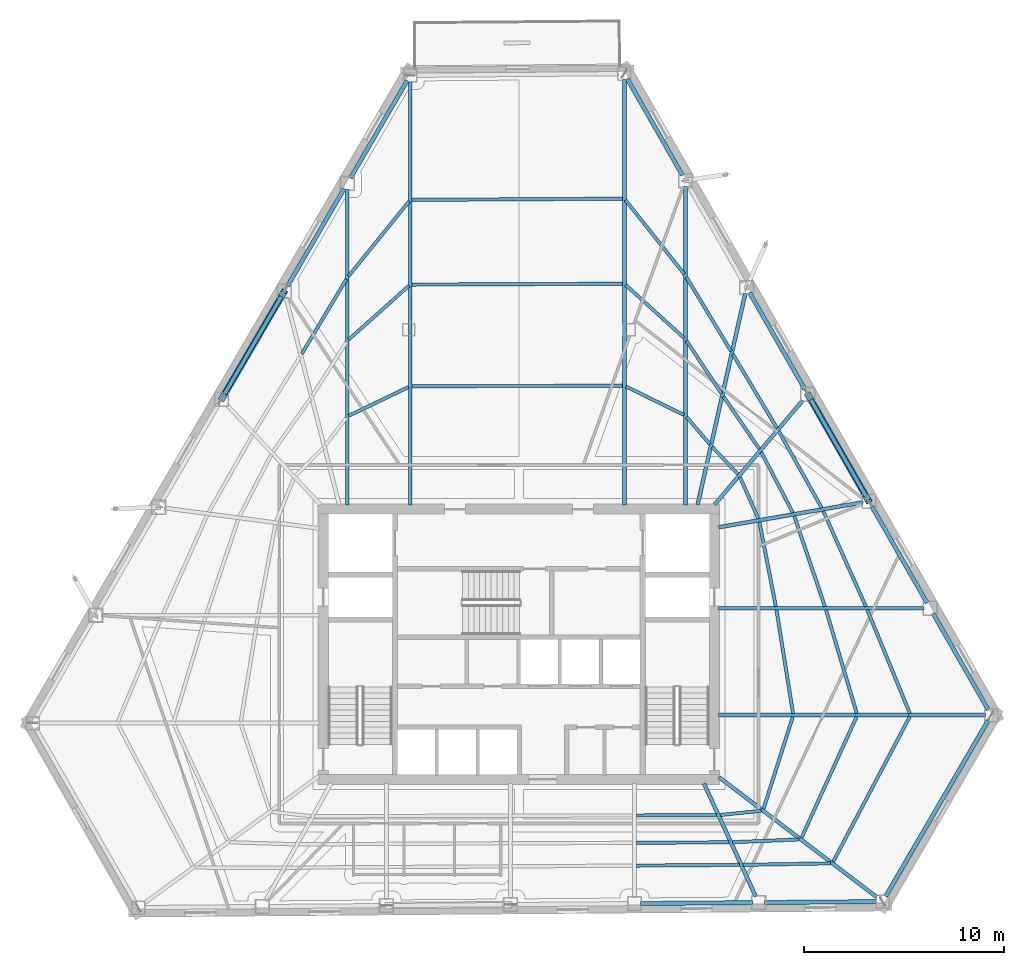
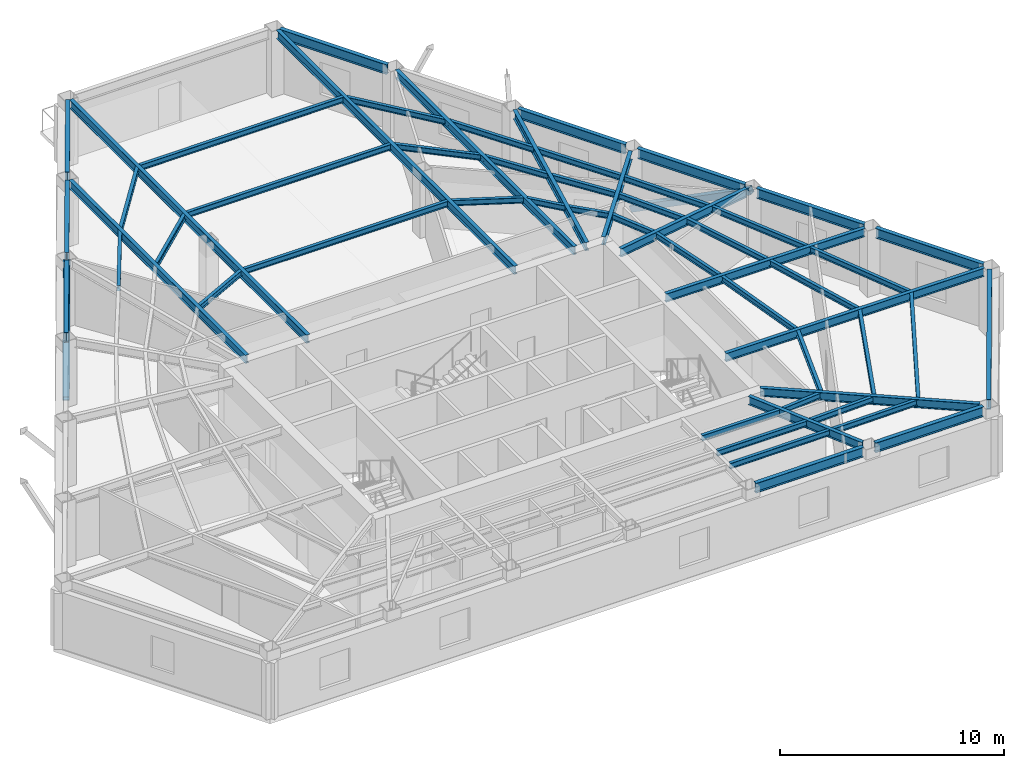
# One storey, part 2 of 12: 56 beams, 2 members.
"""IFC4 building model written with IfcOpenShell, lengths in metres."""

from ifc_helpers import new_model, si_unit, direction, frame, origin, origin_2d, place, context, subcontext, project, spatial, hollow_rectangle, i_section, extrude, material, material_profile, profile_set, type_object, element, save


model = new_model("IFC4")

# Units and contexts
model_context = context("Model", 3, precision=1e-05, world=origin(), true_north=direction((0.0, 1.0)))
body_context = subcontext(model_context, "Body", "Model", "MODEL_VIEW")
ifc_project = project(units=[si_unit("LENGTHUNIT", "METRE"), si_unit("AREAUNIT", "SQUARE_METRE"), si_unit("VOLUMEUNIT", "CUBIC_METRE"), si_unit("PLANEANGLEUNIT", "RADIAN"), si_unit("MASSUNIT", "GRAM", prefix="KILO")], contexts=[model_context])

# Site, building, storey
site_placement = place(None, origin())
site = spatial("IfcSite", under=ifc_project, at=site_placement, CompositionType="ELEMENT")
building_placement = place(site_placement, origin())
building = spatial("IfcBuilding", under=site, at=building_placement, Name="Kavelnor Concourse Tower", CompositionType="ELEMENT")
storey_placement = place(building_placement, frame((0.0, 0.0, 147.10009765625)))
storey = spatial("IfcBuildingStorey", under=building, at=storey_placement, Name="L37", CompositionType="ELEMENT", Elevation=147.10009765625)

# Beams
ifc_material = material(Name="Steel Grade 350", Category="steel")
ifc_material_profile_1 = material_profile(ifc_material, i_section(OverallWidth=0.166015625, OverallDepth=0.306884765625, WebThickness=0.006591796875, FlangeThickness=0.01171875, at=origin_2d()), Name="310UB46")
ifc_profile_set_1 = profile_set([ifc_material_profile_1], Name="Steel Grade 350")
beam_type_1 = type_object("IfcBeamType", Name="BM-JOIST-310", PredefinedType="JOIST", material=ifc_profile_set_1)
beam_1_placement = place(storey_placement, frame((43.864501953125, 7.545166015625, 3.4462890625), z_axis=(0.999995564172, 0.002978529126, 0.0), x_axis=(-0.002978529126, 0.999995564172, 0.0)))
element("IfcBeam", 1, at=beam_1_placement, inside=storey, type_object=beam_type_1, Name="L37 Secondary Composite Joist 06-1", PredefinedType="JOIST", context=body_context, shape_type="SweptSolid", body=[
    extrude(i_section(OverallWidth=0.166015625, OverallDepth=0.306884765625, WebThickness=0.006591796875, FlangeThickness=0.01171875, at=origin_2d()), origin(), (0.0, 0.0, 1.0), 4.016357421875),
])
beam_2_placement = place(storey_placement, frame((43.864501953125, 6.17822265625, 3.4462890625), z_axis=(0.999985297134, 0.005422685354, 0.0), x_axis=(-0.005422685354, 0.999985297134, 0.0)))
element("IfcBeam", 2, at=beam_2_placement, inside=storey, type_object=beam_type_1, Name="L37 Secondary Composite Joist 06-2", PredefinedType="JOIST", context=body_context, shape_type="SweptSolid", body=[
    extrude(i_section(OverallWidth=0.166015625, OverallDepth=0.306884765625, WebThickness=0.006591796875, FlangeThickness=0.01171875, at=origin_2d()), origin(), (0.0, 0.0, 1.0), 4.63720703125),
])
beam_3_placement = place(storey_placement, frame((43.864501953125, 5.0390625, 3.4462890625), z_axis=(0.999975431563, 0.007009726892, 0.0), x_axis=(-0.007009726892, 0.999975431563, 0.0)))
element("IfcBeam", 3, at=beam_3_placement, inside=storey, type_object=beam_type_1, Name="L37 Secondary Composite Joist 06-3", PredefinedType="JOIST", context=body_context, shape_type="SweptSolid", body=[
    extrude(i_section(OverallWidth=0.166015625, OverallDepth=0.306884765625, WebThickness=0.006591796875, FlangeThickness=0.01171875, at=origin_2d()), origin(), (0.0, 0.0, 1.0), 5.15478515625),
])
beam_4_placement = place(storey_placement, frame((48.058349609375, 7.56640625, 3.4462890625), z_axis=(0.994796877977, 0.101878219301, 0.0), x_axis=(-0.101878219301, 0.994796877977, 0.0)))
element("IfcBeam", 4, at=beam_4_placement, inside=storey, type_object=beam_type_1, Name="L37 Secondary Composite Joist 07-1", PredefinedType="JOIST", context=body_context, shape_type="SweptSolid", body=[
    extrude(i_section(OverallWidth=0.166015625, OverallDepth=0.306884765625, WebThickness=0.006591796875, FlangeThickness=0.01171875, at=origin_2d()), origin(), (0.0, 0.0, 1.0), 2.05615234375),
])
beam_5_placement = place(storey_placement, frame((48.6796875, 6.20751953125, 3.4462890625), z_axis=(0.999134221243, 0.041602979954, 0.0), x_axis=(-0.041602979954, 0.999134221243, 0.0)))
element("IfcBeam", 5, at=beam_5_placement, inside=storey, type_object=beam_type_1, Name="L37 Secondary Composite Joist 07-2", PredefinedType="JOIST", context=body_context, shape_type="SweptSolid", body=[
    extrude(i_section(OverallWidth=0.166015625, OverallDepth=0.306884765625, WebThickness=0.006591796875, FlangeThickness=0.01171875, at=origin_2d()), origin(), (0.0, 0.0, 1.0), 3.315673828125),
])
beam_6_placement = place(storey_placement, frame((49.197021484375, 5.077392578125, 3.4462890625), z_axis=(0.999857690583, 0.016870049866, 0.0), x_axis=(-0.016870049866, 0.999857690583, 0.0)))
element("IfcBeam", 6, at=beam_6_placement, inside=storey, type_object=beam_type_1, Name="L37 Secondary Composite Joist 07-3", PredefinedType="JOIST", context=body_context, shape_type="SweptSolid", body=[
    extrude(i_section(OverallWidth=0.166015625, OverallDepth=0.306884765625, WebThickness=0.006591796875, FlangeThickness=0.01171875, at=origin_2d()), origin(), (0.0, 0.0, 1.0), 4.37060546875),
])
beam_7_placement = place(storey_placement, frame((50.21923828125, 7.869873046875, 3.4462890625), z_axis=(0.302827835659, 0.953045278017, 0.0), x_axis=(-0.953045278017, 0.302827835659, 0.0)))
element("IfcBeam", 7, at=beam_7_placement, inside=storey, type_object=beam_type_1, Name="L37 Secondary Composite Joist 08-1", PredefinedType="JOIST", context=body_context, shape_type="SweptSolid", body=[
    extrude(i_section(OverallWidth=0.166015625, OverallDepth=0.306884765625, WebThickness=0.006591796875, FlangeThickness=0.01171875, at=origin_2d()), origin(), (0.0, 0.0, 1.0), 4.82666015625),
])
beam_8_placement = place(storey_placement, frame((52.118408203125, 6.43017578125, 3.4462890625), z_axis=(0.413916534291, 0.910314837098, 0.0), x_axis=(-0.910314837098, 0.413916534291, 0.0)))
element("IfcBeam", 8, at=beam_8_placement, inside=storey, type_object=beam_type_1, Name="L37 Secondary Composite Joist 08-2", PredefinedType="JOIST", context=body_context, shape_type="SweptSolid", body=[
    extrude(i_section(OverallWidth=0.166015625, OverallDepth=0.306884765625, WebThickness=0.006591796875, FlangeThickness=0.01171875, at=origin_2d()), origin(), (0.0, 0.0, 1.0), 6.63916015625),
])
beam_9_placement = place(storey_placement, frame((53.697265625, 5.2314453125, 3.4462890625), z_axis=(0.467101693383, 0.88420360101, 0.0), x_axis=(-0.88420360101, 0.467101693383, 0.0)))
element("IfcBeam", 9, at=beam_9_placement, inside=storey, type_object=beam_type_1, Name="L37 Secondary Composite Joist 08-3", PredefinedType="JOIST", context=body_context, shape_type="SweptSolid", body=[
    extrude(i_section(OverallWidth=0.166015625, OverallDepth=0.306884765625, WebThickness=0.006591796875, FlangeThickness=0.01171875, at=origin_2d()), origin(), (0.0, 0.0, 1.0), 8.193359375),
])
beam_10_placement = place(storey_placement, frame((51.69384765625, 12.642578125, 3.4462890625), z_axis=(-0.158150710051, 0.987414985156, 0.0), x_axis=(-0.987414985156, -0.158150710051, 0.0)))
element("IfcBeam", 10, at=beam_10_placement, inside=storey, type_object=beam_type_1, Name="L37 Secondary Composite Joist 09-1", PredefinedType="JOIST", context=body_context, shape_type="SweptSolid", body=[
    extrude(i_section(OverallWidth=0.166015625, OverallDepth=0.306884765625, WebThickness=0.006591796875, FlangeThickness=0.01171875, at=origin_2d()), origin(), (0.0, 0.0, 1.0), 5.230224609375),
])
beam_11_placement = place(storey_placement, frame((54.8779296875, 12.64013671875, 3.4462890625), z_axis=(-0.285096164601, 0.958498918586, 0.0), x_axis=(-0.958498918586, -0.285096164601, 0.0)))
element("IfcBeam", 11, at=beam_11_placement, inside=storey, type_object=beam_type_1, Name="L37 Secondary Composite Joist 09-2", PredefinedType="JOIST", context=body_context, shape_type="SweptSolid", body=[
    extrude(i_section(OverallWidth=0.166015625, OverallDepth=0.306884765625, WebThickness=0.006591796875, FlangeThickness=0.01171875, at=origin_2d()), origin(), (0.0, 0.0, 1.0), 5.393310546875),
])
beam_12_placement = place(storey_placement, frame((57.531982421875, 12.63720703125, 3.4462890625), z_axis=(-0.380765162788, 0.924671774635, 0.0), x_axis=(-0.924671774635, -0.380765162788, 0.0)))
element("IfcBeam", 12, at=beam_12_placement, inside=storey, type_object=beam_type_1, Name="L37 Secondary Composite Joist 09-3", PredefinedType="JOIST", context=body_context, shape_type="SweptSolid", body=[
    extrude(i_section(OverallWidth=0.166015625, OverallDepth=0.306884765625, WebThickness=0.006591796875, FlangeThickness=0.01171875, at=origin_2d()), origin(), (0.0, 0.0, 1.0), 5.596923828125),
])
beam_13_placement = place(storey_placement, frame((50.835693359375, 17.982177734375, 3.4462890625), z_axis=(-0.191128328686, 0.981565057433, 0.0), x_axis=(-0.981565057433, -0.191128328686, 0.0)))
element("IfcBeam", 13, at=beam_13_placement, inside=storey, type_object=beam_type_1, Name="L37 Secondary Composite Joist 10-1", PredefinedType="JOIST", context=body_context, shape_type="SweptSolid", body=[
    extrude(i_section(OverallWidth=0.166015625, OverallDepth=0.306884765625, WebThickness=0.006591796875, FlangeThickness=0.01171875, at=origin_2d()), origin(), (0.0, 0.0, 1.0), 4.29443359375),
])
beam_14_placement = place(storey_placement, frame((53.28662109375, 17.97900390625, 3.4462890625), z_axis=(-0.32081221432, 0.947142820879, 0.0), x_axis=(-0.947142820879, -0.32081221432, 0.0)))
element("IfcBeam", 14, at=beam_14_placement, inside=storey, type_object=beam_type_1, Name="L37 Secondary Composite Joist 10-2", PredefinedType="JOIST", context=body_context, shape_type="SweptSolid", body=[
    extrude(i_section(OverallWidth=0.166015625, OverallDepth=0.306884765625, WebThickness=0.006591796875, FlangeThickness=0.01171875, at=origin_2d()), origin(), (0.0, 0.0, 1.0), 4.77294921875),
])
beam_15_placement = place(storey_placement, frame((55.330810546875, 17.97607421875, 3.4462890625), z_axis=(-0.40681424128, 0.913510904747, 0.0), x_axis=(-0.913510904747, -0.40681424128, 0.0)))
element("IfcBeam", 15, at=beam_15_placement, inside=storey, type_object=beam_type_1, Name="L37 Secondary Composite Joist 10-3", PredefinedType="JOIST", context=body_context, shape_type="SweptSolid", body=[
    extrude(i_section(OverallWidth=0.166015625, OverallDepth=0.306884765625, WebThickness=0.006591796875, FlangeThickness=0.01171875, at=origin_2d()), origin(), (0.0, 0.0, 1.0), 5.228271484375),
])
beam_16_placement = place(storey_placement, frame((49.9619140625, 22.3662109375, 3.4462890625), z_axis=(-0.404442034875, 0.914563633886, 0.0), x_axis=(-0.914563633886, -0.404442034875, 0.0)))
element("IfcBeam", 16, at=beam_16_placement, inside=storey, type_object=beam_type_1, Name="L37 Secondary Composite Joist 11-1", PredefinedType="JOIST", context=body_context, shape_type="SweptSolid", body=[
    extrude(i_section(OverallWidth=0.166015625, OverallDepth=0.306884765625, WebThickness=0.006591796875, FlangeThickness=0.01171875, at=origin_2d()), origin(), (0.0, 0.0, 1.0), 2.27099609375),
])
beam_17_placement = place(storey_placement, frame((51.685546875, 22.6630859375, 3.4462890625), z_axis=(-0.463085896688, 0.886313405229, 0.0), x_axis=(-0.886313405229, -0.463085896688, 0.0)))
element("IfcBeam", 17, at=beam_17_placement, inside=storey, type_object=beam_type_1, Name="L37 Secondary Composite Joist 11-2", PredefinedType="JOIST", context=body_context, shape_type="SweptSolid", body=[
    extrude(i_section(OverallWidth=0.166015625, OverallDepth=0.306884765625, WebThickness=0.006591796875, FlangeThickness=0.01171875, at=origin_2d()), origin(), (0.0, 0.0, 1.0), 3.41796875),
])
beam_18_placement = place(storey_placement, frame((53.124267578125, 22.9111328125, 3.4462890625), z_axis=(-0.488720464397, 0.872440432167, 0.0), x_axis=(-0.872440432167, -0.488720464397, 0.0)))
element("IfcBeam", 18, at=beam_18_placement, inside=storey, type_object=beam_type_1, Name="L37 Secondary Composite Joist 11-3", PredefinedType="JOIST", context=body_context, shape_type="SweptSolid", body=[
    extrude(i_section(OverallWidth=0.166015625, OverallDepth=0.306884765625, WebThickness=0.006591796875, FlangeThickness=0.01171875, at=origin_2d()), origin(), (0.0, 0.0, 1.0), 4.380615234375),
])
beam_19_placement = place(storey_placement, frame((48.9462890625, 24.589111328125, 3.4462890625), z_axis=(-0.687856509649, 0.725846693272, 0.0), x_axis=(-0.725846693272, -0.687856509649, 0.0)))
element("IfcBeam", 19, at=beam_19_placement, inside=storey, type_object=beam_type_1, Name="L37 Secondary Composite Joist 12-1", PredefinedType="JOIST", context=body_context, shape_type="SweptSolid", body=[
    extrude(i_section(OverallWidth=0.166015625, OverallDepth=0.306884765625, WebThickness=0.006591796875, FlangeThickness=0.01171875, at=origin_2d()), origin(), (0.0, 0.0, 1.0), 1.87646484375),
])
beam_20_placement = place(storey_placement, frame((50.01123046875, 25.844970703125, 3.4462890625), z_axis=(-0.563743564453, 0.825949873502, 0.0), x_axis=(-0.825949873502, -0.563743564453, 0.0)))
element("IfcBeam", 20, at=beam_20_placement, inside=storey, type_object=beam_type_1, Name="L37 Secondary Composite Joist 12-2", PredefinedType="JOIST", context=body_context, shape_type="SweptSolid", body=[
    extrude(i_section(OverallWidth=0.166015625, OverallDepth=0.306884765625, WebThickness=0.006591796875, FlangeThickness=0.01171875, at=origin_2d()), origin(), (0.0, 0.0, 1.0), 3.184326171875),
])
beam_21_placement = place(storey_placement, frame((50.894287109375, 26.886962890625, 3.4462890625), z_axis=(-0.512584328302, 0.85863688855, 0.0), x_axis=(-0.85863688855, -0.512584328302, 0.0)))
element("IfcBeam", 21, at=beam_21_placement, inside=storey, type_object=beam_type_1, Name="L37 Secondary Composite Joist 12-3", PredefinedType="JOIST", context=body_context, shape_type="SweptSolid", body=[
    extrude(i_section(OverallWidth=0.166015625, OverallDepth=0.306884765625, WebThickness=0.006591796875, FlangeThickness=0.01171875, at=origin_2d()), origin(), (0.0, 0.0, 1.0), 4.30419921875),
])
beam_22_placement = place(storey_placement, frame((47.53662109375, 26.08349609375, 3.4462890625), z_axis=(-0.64782314612, 0.761790766124, 0.0), x_axis=(-0.761790766124, -0.64782314612, 0.0)))
element("IfcBeam", 22, at=beam_22_placement, inside=storey, type_object=beam_type_1, Name="L37 Secondary Composite Joist 13-1", PredefinedType="JOIST", context=body_context, shape_type="SweptSolid", body=[
    extrude(i_section(OverallWidth=0.166015625, OverallDepth=0.306884765625, WebThickness=0.006591796875, FlangeThickness=0.01171875, at=origin_2d()), origin(), (0.0, 0.0, 1.0), 1.784423828125),
])
beam_23_placement = place(storey_placement, frame((48.11669921875, 28.622802734375, 3.4462890625), z_axis=(-0.553020325674, 0.833167761853, 0.0), x_axis=(-0.833167761853, -0.553020325674, 0.0)))
element("IfcBeam", 23, at=beam_23_placement, inside=storey, type_object=beam_type_1, Name="L37 Secondary Composite Joist 13-2", PredefinedType="JOIST", context=body_context, shape_type="SweptSolid", body=[
    extrude(i_section(OverallWidth=0.166015625, OverallDepth=0.306884765625, WebThickness=0.006591796875, FlangeThickness=0.01171875, at=origin_2d()), origin(), (0.0, 0.0, 1.0), 3.15478515625),
])
beam_24_placement = place(storey_placement, frame((48.59619140625, 30.7353515625, 3.4462890625), z_axis=(-0.516492511322, 0.85629170599, 0.0), x_axis=(-0.85629170599, -0.516492511322, 0.0)))
element("IfcBeam", 24, at=beam_24_placement, inside=storey, type_object=beam_type_1, Name="L37 Secondary Composite Joist 13-3", PredefinedType="JOIST", context=body_context, shape_type="SweptSolid", body=[
    extrude(i_section(OverallWidth=0.166015625, OverallDepth=0.306884765625, WebThickness=0.006591796875, FlangeThickness=0.01171875, at=origin_2d()), origin(), (0.0, 0.0, 1.0), 4.312255859375),
])
beam_25_placement = place(storey_placement, frame((46.242919921875, 27.5498046875, 3.4462890625), z_axis=(-0.898168347937, 0.439651701651, 0.0), x_axis=(-0.439651701651, -0.898168347937, 0.0)))
element("IfcBeam", 25, at=beam_25_placement, inside=storey, type_object=beam_type_1, Name="L37 Secondary Composite Joist 14-1", PredefinedType="JOIST", context=body_context, shape_type="SweptSolid", body=[
    extrude(i_section(OverallWidth=0.166015625, OverallDepth=0.306884765625, WebThickness=0.006591796875, FlangeThickness=0.01171875, at=origin_2d()), origin(), (0.0, 0.0, 1.0), 3.222412109375),
])
beam_26_placement = place(storey_placement, frame((46.257080078125, 31.38525390625, 3.4462890625), z_axis=(-0.739903711623, 0.672712789774, 0.0), x_axis=(-0.672712789774, -0.739903711623, 0.0)))
element("IfcBeam", 26, at=beam_26_placement, inside=storey, type_object=beam_type_1, Name="L37 Secondary Composite Joist 14-2", PredefinedType="JOIST", context=body_context, shape_type="SweptSolid", body=[
    extrude(i_section(OverallWidth=0.166015625, OverallDepth=0.306884765625, WebThickness=0.006591796875, FlangeThickness=0.01171875, at=origin_2d()), origin(), (0.0, 0.0, 1.0), 3.94970703125),
])
beam_27_placement = place(storey_placement, frame((46.267578125, 34.573974609375, 3.4462890625), z_axis=(-0.621998459219, 0.783018465127, 0.0), x_axis=(-0.783018465127, -0.621998459219, 0.0)))
element("IfcBeam", 27, at=beam_27_placement, inside=storey, type_object=beam_type_1, Name="L37 Secondary Composite Joist 14-3", PredefinedType="JOIST", context=body_context, shape_type="SweptSolid", body=[
    extrude(i_section(OverallWidth=0.166015625, OverallDepth=0.306884765625, WebThickness=0.006591796875, FlangeThickness=0.01171875, at=origin_2d()), origin(), (0.0, 0.0, 1.0), 4.732177734375),
])
for number, where, z_axis, x_axis, name in (
    (28, (43.1796875, 29.005615234375, 3.4462890625), (-0.999997412087, -0.002275042863, 0.0), (0.002275042863, -0.999997412087, 0.0), "L37 Secondary Composite Joist 15-1"),
    (29, (43.1796875, 34.101806640625, 3.4462890625), (-0.999991172237, -0.004201838661, 0.0), (0.004201838661, -0.999991172237, 0.0), "L37 Secondary Composite Joist 15-2"),
):
    element("IfcBeam", number, at=place(storey_placement, frame(where, z_axis=z_axis, x_axis=x_axis)), inside=storey, type_object=beam_type_1, Name=name, PredefinedType="JOIST", context=body_context, shape_type="SweptSolid", body=[
        extrude(i_section(OverallWidth=0.166015625, OverallDepth=0.306884765625, WebThickness=0.006591796875, FlangeThickness=0.01171875, at=origin_2d()), origin(), (0.0, 0.0, 1.0), 10.5166015625),
    ])
beam_28_placement = place(storey_placement, frame((43.1796875, 38.3486328125, 3.4462890625), z_axis=(-0.999983158983, -0.005803598053, 0.0), x_axis=(0.005803598053, -0.999983158983, 0.0)))
element("IfcBeam", 30, at=beam_28_placement, inside=storey, type_object=beam_type_1, Name="L37 Secondary Composite Joist 15-3", PredefinedType="JOIST", context=body_context, shape_type="SweptSolid", body=[
    extrude(i_section(OverallWidth=0.166015625, OverallDepth=0.306884765625, WebThickness=0.006591796875, FlangeThickness=0.01171875, at=origin_2d()), origin(), (0.0, 0.0, 1.0), 10.516845703125),
])
beam_29_placement = place(storey_placement, frame((32.493896484375, 28.943115234375, 3.4462890625), z_axis=(-0.901328339647, -0.433136495979, 0.0), x_axis=(0.433136495979, -0.901328339647, 0.0)))
element("IfcBeam", 31, at=beam_29_placement, inside=storey, type_object=beam_type_1, Name="L37 Secondary Composite Joist 16-1", PredefinedType="JOIST", context=body_context, shape_type="SweptSolid", body=[
    extrude(i_section(OverallWidth=0.166015625, OverallDepth=0.306884765625, WebThickness=0.006591796875, FlangeThickness=0.01171875, at=origin_2d()), origin(), (0.0, 0.0, 1.0), 3.30810546875),
])
beam_30_placement = place(storey_placement, frame((32.5078125, 33.998046875, 3.4462890625), z_axis=(-0.746125572953, -0.665805248842, 0.0), x_axis=(0.665805248842, -0.746125572953, 0.0)))
element("IfcBeam", 32, at=beam_30_placement, inside=storey, type_object=beam_type_1, Name="L37 Secondary Composite Joist 16-2", PredefinedType="JOIST", context=body_context, shape_type="SweptSolid", body=[
    extrude(i_section(OverallWidth=0.166015625, OverallDepth=0.306884765625, WebThickness=0.006591796875, FlangeThickness=0.01171875, at=origin_2d()), origin(), (0.0, 0.0, 1.0), 4.033447265625),
])
beam_31_placement = place(storey_placement, frame((32.51806640625, 38.2177734375, 3.4462890625), z_axis=(-0.629080113045, -0.777340473262, 0.0), x_axis=(0.777340473262, -0.629080113045, 0.0)))
element("IfcBeam", 33, at=beam_31_placement, inside=storey, type_object=beam_type_1, Name="L37 Secondary Composite Joist 16-3", PredefinedType="JOIST", context=body_context, shape_type="SweptSolid", body=[
    extrude(i_section(OverallWidth=0.166015625, OverallDepth=0.306884765625, WebThickness=0.006591796875, FlangeThickness=0.01171875, at=origin_2d()), origin(), (0.0, 0.0, 1.0), 4.816650390625),
])
beam_32_placement = place(storey_placement, frame((29.386474609375, 34.328125, 3.4462890625), z_axis=(-0.512784261083, -0.858517502201, 0.0), x_axis=(0.858517502201, -0.512784261083, 0.0)))
element("IfcBeam", 34, at=beam_32_placement, inside=storey, type_object=beam_type_1, Name="L37 Secondary Composite Joist 17-3", PredefinedType="JOIST", context=body_context, shape_type="SweptSolid", body=[
    extrude(i_section(OverallWidth=0.166015625, OverallDepth=0.306884765625, WebThickness=0.006591796875, FlangeThickness=0.01171875, at=origin_2d()), origin(), (0.0, 0.0, 1.0), 4.344970703125),
])
ifc_material_profile_2 = material_profile(ifc_material, i_section(OverallWidth=0.18994140625, OverallDepth=0.4541015625, WebThickness=0.008544921875, FlangeThickness=0.0126953125, at=origin_2d()), Name="460UB67")
ifc_profile_set_2 = profile_set([ifc_material_profile_2], Name="Steel Grade 350")
beam_type_2 = type_object("IfcBeamType", Name="BM-PRIMARY-460", PredefinedType="BEAM", material=ifc_profile_set_2)
beam_33_placement = place(storey_placement, frame((32.57421875, 23.06005859375, 3.372802734375), z_axis=(0.0, 1.0, 0.0), x_axis=(-1.0, 0.0, 0.0)))
element("IfcBeam", 35, at=beam_33_placement, inside=storey, type_object=beam_type_2, Name="L37 Primary Floor Girder F0-B0", PredefinedType="BEAM", context=body_context, shape_type="SweptSolid", body=[
    extrude(i_section(OverallWidth=0.18994140625, OverallDepth=0.4541015625, WebThickness=0.008544921875, FlangeThickness=0.0126953125, at=origin_2d()), origin(), (0.0, 0.0, 1.0), 21.1484375),
])
beam_34_placement = place(storey_placement, frame((29.431884765625, 23.06005859375, 3.372802734375), z_axis=(0.0, 1.0, 0.0), x_axis=(-1.0, 0.0, 0.0)))
element("IfcBeam", 36, at=beam_34_placement, inside=storey, type_object=beam_type_2, Name="L37 Primary Floor Girder F0-B1", PredefinedType="BEAM", context=body_context, shape_type="SweptSolid", body=[
    extrude(i_section(OverallWidth=0.18994140625, OverallDepth=0.4541015625, WebThickness=0.008544921875, FlangeThickness=0.0126953125, at=origin_2d()), origin(), (0.0, 0.0, 1.0), 15.75634765625),
])
beam_35_placement = place(storey_placement, frame((47.24560546875, 9.136474609375, 3.372802734375), z_axis=(0.416931086729, -0.908938099608, 0.0), x_axis=(0.908938099608, 0.416931086729, 0.0)))
element("IfcBeam", 37, at=beam_35_placement, inside=storey, type_object=beam_type_2, Name="L37 Primary Floor Girder F1-B5", PredefinedType="BEAM", context=body_context, shape_type="SweptSolid", body=[
    extrude(i_section(OverallWidth=0.18994140625, OverallDepth=0.4541015625, WebThickness=0.008544921875, FlangeThickness=0.0126953125, at=origin_2d()), origin(), (0.0, 0.0, 1.0), 6.20458984375),
])
beam_36_placement = place(storey_placement, frame((47.98828125, 9.460205078125, 3.372802734375), z_axis=(0.79614934661, -0.605100171784, 0.0), x_axis=(0.605100171784, 0.79614934661, 0.0)))
element("IfcBeam", 38, at=beam_36_placement, inside=storey, type_object=beam_type_2, Name="L37 Primary Floor Girder F1-B6", PredefinedType="BEAM", context=body_context, shape_type="SweptSolid", body=[
    extrude(i_section(OverallWidth=0.18994140625, OverallDepth=0.4541015625, WebThickness=0.008544921875, FlangeThickness=0.0126953125, at=origin_2d()), origin(), (0.0, 0.0, 1.0), 9.886962890625),
])
beam_37_placement = place(storey_placement, frame((47.97998046875, 12.5546875, 3.372802734375), z_axis=(1.0, 0.0, 0.0), x_axis=(0.0, 1.0, 0.0)))
element("IfcBeam", 39, at=beam_37_placement, inside=storey, type_object=beam_type_2, Name="L37 Primary Floor Girder F2-B0", PredefinedType="BEAM", context=body_context, shape_type="SweptSolid", body=[
    extrude(i_section(OverallWidth=0.18994140625, OverallDepth=0.4541015625, WebThickness=0.008544921875, FlangeThickness=0.0126953125, at=origin_2d()), origin(), (0.0, 0.0, 1.0), 13.31396484375),
])
beam_38_placement = place(storey_placement, frame((47.97998046875, 17.894775390625, 3.372802734375), z_axis=(1.0, 0.0, 0.0), x_axis=(0.0, 1.0, 0.0)))
element("IfcBeam", 40, at=beam_38_placement, inside=storey, type_object=beam_type_2, Name="L37 Primary Floor Girder F2-B1", PredefinedType="BEAM", context=body_context, shape_type="SweptSolid", body=[
    extrude(i_section(OverallWidth=0.18994140625, OverallDepth=0.4541015625, WebThickness=0.008544921875, FlangeThickness=0.0126953125, at=origin_2d()), origin(), (0.0, 0.0, 1.0), 10.259765625),
])
beam_39_placement = place(storey_placement, frame((47.980712890625, 21.935546875, 3.372802734375), z_axis=(0.985340144629, 0.170601287749, 0.0), x_axis=(-0.170601287749, 0.985340144629, 0.0)))
element("IfcBeam", 41, at=beam_39_placement, inside=storey, type_object=beam_type_2, Name="L37 Primary Floor Girder F2-B2", PredefinedType="BEAM", context=body_context, shape_type="SweptSolid", body=[
    extrude(i_section(OverallWidth=0.18994140625, OverallDepth=0.4541015625, WebThickness=0.008544921875, FlangeThickness=0.0126953125, at=origin_2d()), origin(), (0.0, 0.0, 1.0), 7.311279296875),
])
beam_40_placement = place(storey_placement, frame((47.777587890625, 23.069580078125, 3.372802734375), z_axis=(0.645568961541, 0.763701981073, 0.0), x_axis=(-0.763701981073, 0.645568961541, 0.0)))
element("IfcBeam", 42, at=beam_40_placement, inside=storey, type_object=beam_type_2, Name="L37 Primary Floor Girder F2-B3", PredefinedType="BEAM", context=body_context, shape_type="SweptSolid", body=[
    extrude(i_section(OverallWidth=0.18994140625, OverallDepth=0.4541015625, WebThickness=0.008544921875, FlangeThickness=0.0126953125, at=origin_2d()), origin(), (0.0, 0.0, 1.0), 6.803466796875),
])
beam_41_placement = place(storey_placement, frame((46.92724609375, 23.06103515625, 3.372802734375), z_axis=(0.220164591532, 0.975462737697, 0.0), x_axis=(-0.975462737697, 0.220164591532, 0.0)))
element("IfcBeam", 43, at=beam_41_placement, inside=storey, type_object=beam_type_2, Name="L37 Primary Floor Girder F2-B4", PredefinedType="BEAM", context=body_context, shape_type="SweptSolid", body=[
    extrude(i_section(OverallWidth=0.18994140625, OverallDepth=0.4541015625, WebThickness=0.008544921875, FlangeThickness=0.0126953125, at=origin_2d()), origin(), (0.0, 0.0, 1.0), 10.818359375),
])
beam_42_placement = place(storey_placement, frame((46.322998046875, 23.06005859375, 3.372802734375), z_axis=(0.0, 1.0, 0.0), x_axis=(-1.0, 0.0, 0.0)))
element("IfcBeam", 44, at=beam_42_placement, inside=storey, type_object=beam_type_2, Name="L37 Primary Floor Girder F2-B5", PredefinedType="BEAM", context=body_context, shape_type="SweptSolid", body=[
    extrude(i_section(OverallWidth=0.18994140625, OverallDepth=0.4541015625, WebThickness=0.008544921875, FlangeThickness=0.0126953125, at=origin_2d()), origin(), (0.0, 0.0, 1.0), 15.894775390625),
])
beam_43_placement = place(storey_placement, frame((43.268798828125, 23.06005859375, 3.372802734375), z_axis=(0.0, 1.0, 0.0), x_axis=(-1.0, 0.0, 0.0)))
element("IfcBeam", 45, at=beam_43_placement, inside=storey, type_object=beam_type_2, Name="L37 Primary Floor Girder F2-B6", PredefinedType="BEAM", context=body_context, shape_type="SweptSolid", body=[
    extrude(i_section(OverallWidth=0.18994140625, OverallDepth=0.4541015625, WebThickness=0.008544921875, FlangeThickness=0.0126953125, at=origin_2d()), origin(), (0.0, 0.0, 1.0), 21.23486328125),
])
ifc_material_profile_3 = material_profile(ifc_material, i_section(OverallWidth=0.208984375, OverallDepth=0.532958984375, WebThickness=0.01025390625, FlangeThickness=0.015625, at=origin_2d()), Name="530UB92")
ifc_profile_set_3 = profile_set([ifc_material_profile_3], Name="Steel Grade 350")
beam_type_3 = type_object("IfcBeamType", Name="BM-SPANDREL-Z2", PredefinedType="SPANDREL", material=ifc_profile_set_3)
for number, where, z_axis, x_axis, name in (
    (46, (32.42041015625, 44.2451171875, 3.33349609375), (-0.503428843499, -0.864036688765, 0.0), (0.864036688765, -0.503428843499, 0.0), "L37 Perimeter Tube Spandrel Beam F0-B0"),
    (47, (29.2783203125, 38.852783203125, 3.33349609375), (-0.503428843499, -0.864036688765, 0.0), (0.864036688765, -0.503428843499, 0.0), "L37 Perimeter Tube Spandrel Beam F0-B1"),
):
    element("IfcBeam", number, at=place(storey_placement, frame(where, z_axis=z_axis, x_axis=x_axis)), inside=storey, type_object=beam_type_3, Name=name, PredefinedType="SPANDREL", context=body_context, shape_type="SweptSolid", body=[
        extrude(i_section(OverallWidth=0.208984375, OverallDepth=0.532958984375, WebThickness=0.01025390625, FlangeThickness=0.015625, at=origin_2d()), origin(), (0.0, 0.0, 1.0), 5.630859375),
    ])
beam_44_placement = place(storey_placement, frame((26.13623046875, 33.460693359375, 3.33349609375), z_axis=(-0.503409984214, -0.864047676806, 0.0), x_axis=(0.864047676806, -0.503409984214, 0.0)))
element("IfcBeam", 48, at=beam_44_placement, inside=storey, type_object=beam_type_3, Name="L37 Perimeter Tube Spandrel Beam F0-B2", PredefinedType="SPANDREL", context=body_context, shape_type="SweptSolid", body=[
    extrude(i_section(OverallWidth=0.208984375, OverallDepth=0.532958984375, WebThickness=0.01025390625, FlangeThickness=0.015625, at=origin_2d()), origin(), (0.0, 0.0, 1.0), 5.631103515625),
])
for number, where, z_axis, x_axis, name in (
    (49, (44.080322265625, 3.145751953125, 3.33349609375), (0.999967318332, 0.008084693379, 0.0), (-0.008084693379, 0.999967318332, 0.0), "L37 Perimeter Tube Spandrel Beam F1-B4"),
    (50, (50.276611328125, 3.19580078125, 3.33349609375), (0.999967670676, 0.008040995167, 0.0), (-0.008040995167, 0.999967670676, 0.0), "L37 Perimeter Tube Spandrel Beam F1-B5"),
):
    element("IfcBeam", number, at=place(storey_placement, frame(where, z_axis=z_axis, x_axis=x_axis)), inside=storey, type_object=beam_type_3, Name=name, PredefinedType="SPANDREL", context=body_context, shape_type="SweptSolid", body=[
        extrude(i_section(OverallWidth=0.208984375, OverallDepth=0.532958984375, WebThickness=0.01025390625, FlangeThickness=0.015625, at=origin_2d()), origin(), (0.0, 0.0, 1.0), 5.586669921875),
    ])
for number, where, z_axis, x_axis, name in (
    (51, (61.4423828125, 12.819580078125, 3.33349609375), (-0.496475765873, 0.868050582571, 0.0), (-0.868050582571, -0.496475765873, 0.0), "L37 Perimeter Tube Spandrel Beam F2-B0"),
    (52, (58.38818359375, 18.15966796875, 3.33349609375), (-0.496475765873, 0.868050582571, 0.0), (-0.868050582571, -0.496475765873, 0.0), "L37 Perimeter Tube Spandrel Beam F2-B1"),
):
    element("IfcBeam", number, at=place(storey_placement, frame(where, z_axis=z_axis, x_axis=x_axis)), inside=storey, type_object=beam_type_3, Name=name, PredefinedType="SPANDREL", context=body_context, shape_type="SweptSolid", body=[
        extrude(i_section(OverallWidth=0.208984375, OverallDepth=0.532958984375, WebThickness=0.01025390625, FlangeThickness=0.015625, at=origin_2d()), origin(), (0.0, 0.0, 1.0), 5.54150390625),
    ])
for number, where, z_axis, x_axis, name in (
    (53, (55.333984375, 23.49951171875, 3.33349609375), (-0.496456779506, 0.868061441422, 0.0), (-0.868061441422, -0.496456779506, 0.0), "L37 Perimeter Tube Spandrel Beam F2-B2"),
    (54, (52.27978515625, 28.839599609375, 3.33349609375), (-0.496456779506, 0.868061441422, 0.0), (-0.868061441422, -0.496456779506, 0.0), "L37 Perimeter Tube Spandrel Beam F2-B3"),
):
    element("IfcBeam", number, at=place(storey_placement, frame(where, z_axis=z_axis, x_axis=x_axis)), inside=storey, type_object=beam_type_3, Name=name, PredefinedType="SPANDREL", context=body_context, shape_type="SweptSolid", body=[
        extrude(i_section(OverallWidth=0.208984375, OverallDepth=0.532958984375, WebThickness=0.01025390625, FlangeThickness=0.015625, at=origin_2d()), origin(), (0.0, 0.0, 1.0), 5.541748046875),
    ])
beam_45_placement = place(storey_placement, frame((46.17138671875, 39.519775390625, 3.33349609375), z_axis=(-0.496475765873, 0.868050582571, 0.0), x_axis=(-0.868050582571, -0.496475765873, 0.0)))
element("IfcBeam", 55, at=beam_45_placement, inside=storey, type_object=beam_type_3, Name="L37 Perimeter Tube Spandrel Beam F2-B5", PredefinedType="SPANDREL", context=body_context, shape_type="SweptSolid", body=[
    extrude(i_section(OverallWidth=0.208984375, OverallDepth=0.532958984375, WebThickness=0.01025390625, FlangeThickness=0.015625, at=origin_2d()), origin(), (0.0, 0.0, 1.0), 5.54150390625),
])
beam_46_placement = place(storey_placement, frame((56.321533203125, 3.5068359375, 3.33349609375), z_axis=(0.503460380508, 0.864018313034, 0.0), x_axis=(-0.864018313034, 0.503460380508, 0.0)))
element("IfcBeam", 56, at=beam_46_placement, inside=storey, type_object=beam_type_3, Name="L37 Chamfer Facet Spandrel Beam C2", PredefinedType="SPANDREL", context=body_context, shape_type="SweptSolid", body=[
    extrude(i_section(OverallWidth=0.208984375, OverallDepth=0.532958984375, WebThickness=0.01025390625, FlangeThickness=0.015625, at=origin_2d()), origin(), (0.0, 0.0, 1.0), 10.1669921875),
])

# Members
ifc_material_profile_4 = material_profile(ifc_material, hollow_rectangle(XDim=0.320068359375, YDim=0.320068359375, WallThickness=0.01806640625, at=origin_2d()), Name="SHS 320x320x18")
ifc_profile_set_4 = profile_set([ifc_material_profile_4], Name="Steel Grade 350")
member_type = type_object("IfcMemberType", Name="MBR-TUBE-DIAG-Z2", PredefinedType="BRACE", material=ifc_profile_set_4)
member_1_placement = place(storey_placement, frame((23.147705078125, 28.331787109375, 0.219970703125), z_axis=(0.450509344876, 0.773146845398, 0.446413805377), x_axis=(-0.864018583553, 0.503459916255, 0.0)))
element("IfcMember", 57, at=member_1_placement, inside=storey, type_object=member_type, Name="L37 Framed-Tube Bracing Diagonal F0-B2", PredefinedType="BRACE", context=body_context, shape_type="SweptSolid", body=[
    extrude(hollow_rectangle(XDim=0.320068359375, YDim=0.320068359375, WallThickness=0.01806640625, at=origin_2d()), origin(), (0.0, 0.0, 1.0), 6.974609375),
])
member_2_placement = place(storey_placement, frame((52.431396484375, 28.574951171875, 0.219970703125), z_axis=(0.442969328795, -0.774505845622, 0.451573768995), x_axis=(0.868052585172, 0.496472264458, 0.0)))
element("IfcMember", 58, at=member_2_placement, inside=storey, type_object=member_type, Name="L37 Framed-Tube Bracing Diagonal F2-B2", PredefinedType="BRACE", context=body_context, shape_type="SweptSolid", body=[
    extrude(hollow_rectangle(XDim=0.320068359375, YDim=0.320068359375, WallThickness=0.01806640625, at=origin_2d()), origin(), (0.0, 0.0, 1.0), 6.894775390625),
])

save(model, "model.ifc")
